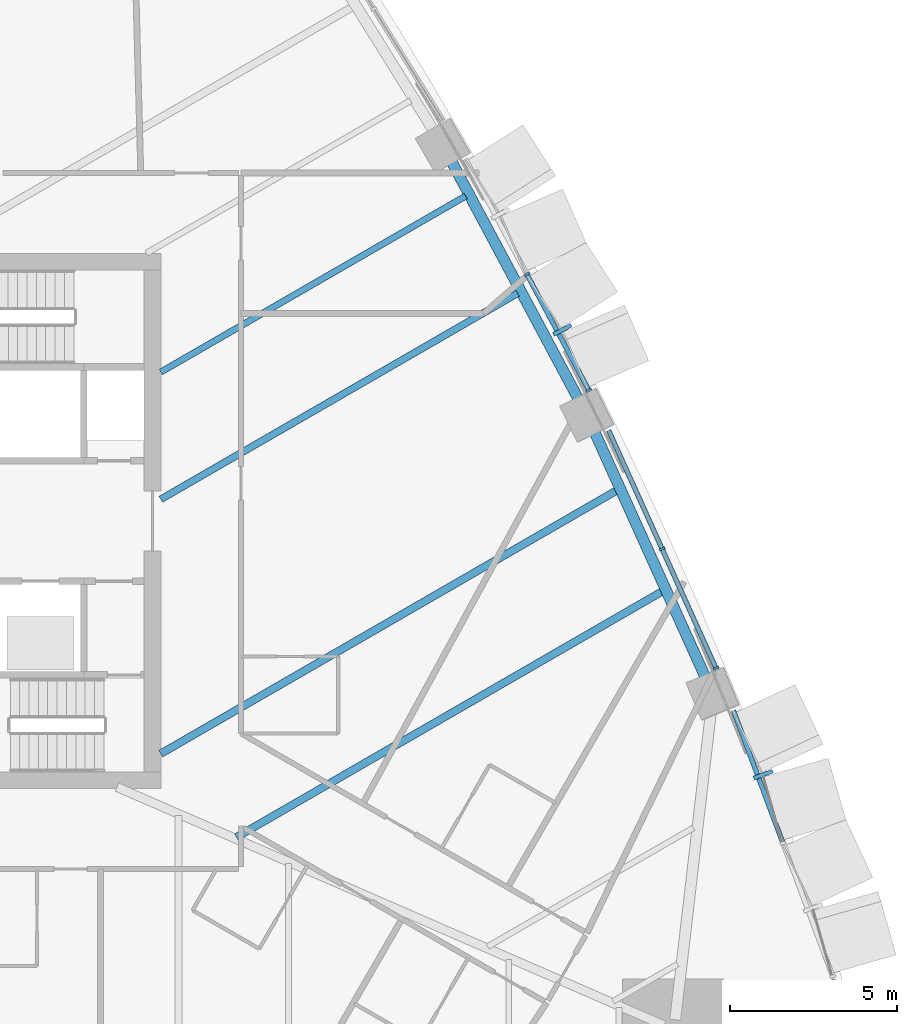
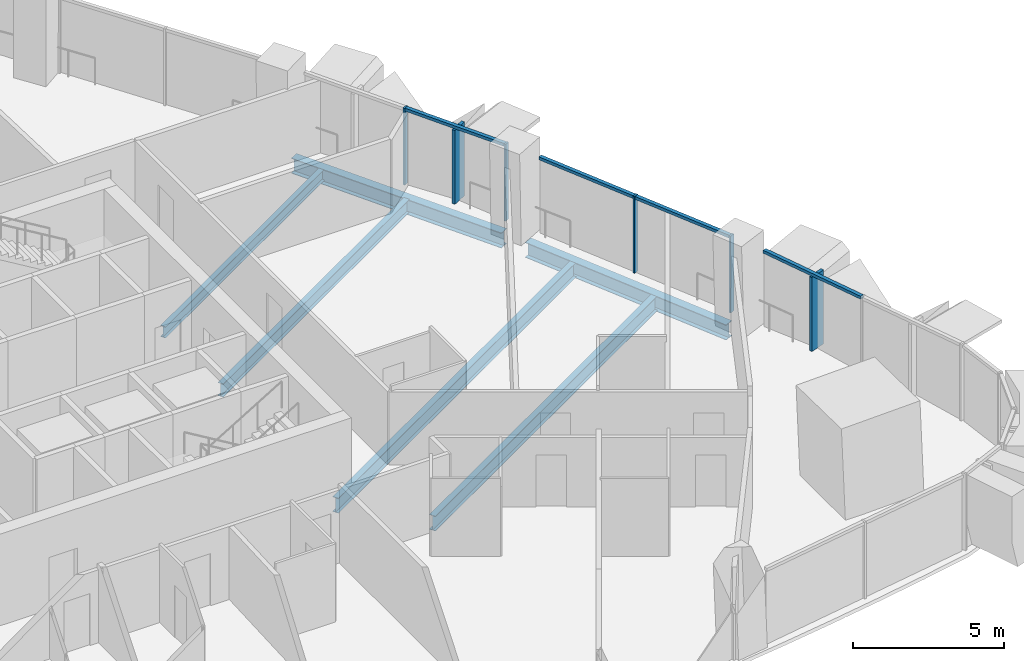
# One storey, part 5 of 19: 10 members, 6 beams, 3 elements without a shape of their own.
"""IFC4 building model written with IfcOpenShell, lengths in metres."""

from ifc_helpers import new_model, si_unit, direction, frame, origin, origin_2d, place, context, subcontext, project, spatial, rectangle, i_section, extrude, material, layer, layer_set, material_profile, profile_set, type_object, element, aggregate, save


model = new_model("IFC4")

# Units and contexts
model_context = context("Model", 3, precision=1e-05, world=origin(), true_north=direction((0.0, 1.0)))
body_context = subcontext(model_context, "Body", "Model", "MODEL_VIEW")
ifc_project = project(units=[si_unit("LENGTHUNIT", "METRE"), si_unit("AREAUNIT", "SQUARE_METRE"), si_unit("VOLUMEUNIT", "CUBIC_METRE"), si_unit("PLANEANGLEUNIT", "RADIAN"), si_unit("MASSUNIT", "GRAM", prefix="KILO")], contexts=[model_context])

# Site, building, storey
site_placement = place(None, origin())
site = spatial("IfcSite", under=ifc_project, at=site_placement, CompositionType="ELEMENT")
building_placement = place(site_placement, origin())
building = spatial("IfcBuilding", under=site, at=building_placement, Name="Sierra Prisma Convention Tower", CompositionType="ELEMENT")
storey_placement = place(building_placement, frame((0.0, 0.0, 77.60009765625)))
storey = spatial("IfcBuildingStorey", under=building, at=storey_placement, Name="L15", CompositionType="ELEMENT", Elevation=77.60009765625)

# Curtain wall, member
ifc_material_1 = material(Name="Aluminium and glass curtain wall", Category="aluminium")
ifc_layer_1 = layer(ifc_material_1, 0.179931640625)
ifc_layer_set_1 = layer_set([ifc_layer_1], Name="CW-2 Faceted crystal curtain wall")
curtain_wall_type_1 = type_object("IfcCurtainWallType", Name="CW-2 Faceted crystal curtain wall", PredefinedType="NOTDEFINED", material=ifc_layer_set_1)
curtain_wall_1_placement = place(storey_placement, origin())
curtain_wall_1 = element("IfcCurtainWall", 1, at=curtain_wall_1_placement, inside=storey, type_object=curtain_wall_type_1, Name="CW-2 NE1 L15", PredefinedType="NOTDEFINED")
ifc_material_2 = material(Name="Aluminium 6063-T6 bronze anodised", Category="aluminium")
ifc_material_profile_1 = material_profile(ifc_material_2, rectangle(XDim=0.1201171875, YDim=0.60009765625, at=origin_2d()), Name="ALU RIDGE BLADE 120x600")
ifc_profile_set_1 = profile_set([ifc_material_profile_1], Name="Aluminium 6063-T6 bronze anodised")
member_type_1 = type_object("IfcMemberType", Name="CW hip bronze", PredefinedType="MULLION", material=ifc_profile_set_1)
member_1_placement = place(storey_placement, frame((29.002685546875, -7.57861328125, 0.0), z_axis=(0.0, 0.0, 1.0), x_axis=(-0.350139772107, 0.936697464494, 0.0)))
member_1 = element("IfcMember", 2, at=member_1_placement, type_object=member_type_1, Name="CW-2 ridge NE1.2", PredefinedType="MULLION", context=body_context, shape_type="SweptSolid", body=[
    extrude(rectangle(XDim=0.1201171875, YDim=0.60009765625, at=origin_2d()), origin(), (0.0, 0.0, 1.0), 2.97998046875),
])

curtain_wall_2_placement = place(storey_placement, origin())
curtain_wall_2 = element("IfcCurtainWall", 3, at=curtain_wall_2_placement, inside=storey, type_object=curtain_wall_type_1, Name="CW-2 NE3 L15", PredefinedType="NOTDEFINED")
member_2_placement = place(storey_placement, frame((22.999267578125, 5.710205078125, 0.0), z_axis=(0.0, 0.0, 1.0), x_axis=(-0.470903985064, 0.88218446872, 0.0)))
member_2 = element("IfcMember", 4, at=member_2_placement, type_object=member_type_1, Name="CW-2 ridge NE3.1", PredefinedType="MULLION", context=body_context, shape_type="SweptSolid", body=[
    extrude(rectangle(XDim=0.1201171875, YDim=0.60009765625, at=origin_2d()), origin(), (0.0, 0.0, 1.0), 2.97998046875),
])

# Curtain wall, members
ifc_material_3 = material(Name="Aluminium and glass curtain wall", Category="aluminium")
ifc_layer_2 = layer(ifc_material_3, 0.179931640625)
ifc_layer_set_2 = layer_set([ifc_layer_2], Name="CW-1 Plain shaft curtain wall")
curtain_wall_type_2 = type_object("IfcCurtainWallType", Name="CW-1 Plain shaft curtain wall", PredefinedType="NOTDEFINED", material=ifc_layer_set_2)
curtain_wall_3_placement = place(storey_placement, origin())
curtain_wall_3 = element("IfcCurtainWall", 5, at=curtain_wall_3_placement, inside=storey, type_object=curtain_wall_type_2, Name="CW-1 NE2 L15", PredefinedType="NOTDEFINED")
ifc_material_4 = material(Name="Aluminium 6063-T6 bronze anodised", Category="aluminium")
ifc_material_profile_2 = material_profile(ifc_material_4, rectangle(XDim=0.179931640625, YDim=0.070068359375, at=origin_2d()), Name="ALU MULLION 70x180")
ifc_profile_set_2 = profile_set([ifc_material_profile_2], Name="Aluminium 6063-T6 bronze anodised")
member_type_2 = type_object("IfcMemberType", Name="CW mullion bronze", PredefinedType="MULLION", material=ifc_profile_set_2)
member_3_placement = place(storey_placement, frame((27.58935546875, -4.402099609375, 0.0), z_axis=(0.0, 0.0, 1.0), x_axis=(-0.911443289802, -0.411425727774, 0.0)))
member_3 = element("IfcMember", 6, at=member_3_placement, type_object=member_type_2, Name="CW-1 mullion NE2.1", PredefinedType="MULLION", context=body_context, shape_type="SweptSolid", body=[
    extrude(rectangle(XDim=0.179931640625, YDim=0.070068359375, at=origin_2d()), origin(), (0.0, 0.0, 1.0), 3.099853515625),
])
member_4_placement = place(storey_placement, frame((25.979248046875, -0.835205078125, 0.0), z_axis=(0.0, 0.0, 1.0), x_axis=(-0.911443289802, -0.411425727774, 0.0)))
member_4 = element("IfcMember", 7, at=member_4_placement, type_object=member_type_2, Name="CW-1 mullion NE2.2", PredefinedType="MULLION", context=body_context, shape_type="SweptSolid", body=[
    extrude(rectangle(XDim=0.179931640625, YDim=0.070068359375, at=origin_2d()), origin(), (0.0, 0.0, 1.0), 3.099853515625),
])

# Member
member_5_placement = place(storey_placement, frame((23.791259765625, 3.90380859375, 0.0), z_axis=(0.0, 0.0, 1.0), x_axis=(-0.88218446872, -0.470903985064, 0.0)))
member_5 = element("IfcMember", 8, at=member_5_placement, type_object=member_type_2, Name="CW-1 mullion NE3.1", PredefinedType="MULLION", context=body_context, shape_type="SweptSolid", body=[
    extrude(rectangle(XDim=0.179931640625, YDim=0.070068359375, at=origin_2d()), origin(), (0.0, 0.0, 1.0), 3.099853515625),
])

member_6_placement = place(storey_placement, frame((21.939208984375, 7.373291015625, 0.0), z_axis=(0.0, 0.0, 1.0), x_axis=(-0.88218446872, -0.470903985064, 0.0)))
member_6 = element("IfcMember", 9, at=member_6_placement, type_object=member_type_2, Name="CW-1 mullion NE3.2", PredefinedType="MULLION", context=body_context, shape_type="SweptSolid", body=[
    extrude(rectangle(XDim=0.179931640625, YDim=0.070068359375, at=origin_2d()), origin(), (0.0, 0.0, 1.0), 3.099853515625),
])

ifc_material_5 = material(Name="Aluminium 6063-T6 bronze anodised", Category="aluminium")
ifc_material_profile_3 = material_profile(ifc_material_5, rectangle(XDim=0.139892578125, YDim=0.1201171875, at=origin_2d()), Name="ALU TRANSOM 120x140")
ifc_profile_set_3 = profile_set([ifc_material_profile_3], Name="Aluminium 6063-T6 bronze anodised")
member_type_3 = type_object("IfcMemberType", Name="CW transom bronze", PredefinedType="USERDEFINED", material=ifc_profile_set_3)
member_7_placement = place(storey_placement, frame((29.58056640625, -9.5947265625, 3.039794921875), z_axis=(-0.350125126236, 0.936702939025, 0.0), x_axis=(-0.936702939025, -0.350125126236, 0.0)))
member_7 = element("IfcMember", 10, at=member_7_placement, type_object=member_type_3, Name="CW-1 transom NE1.2", ObjectType="TRANSOM", PredefinedType="USERDEFINED", context=body_context, shape_type="SweptSolid", body=[
    extrude(rectangle(XDim=0.139892578125, YDim=0.1201171875, at=origin_2d()), origin(), (0.0, 0.0, 1.0), 4.181640625),
])

aggregate(curtain_wall_1, [member_7, member_1])

member_8_placement = place(storey_placement, frame((27.574951171875, -4.3701171875, 3.039794921875), z_axis=(-0.411418225769, 0.911446676172, 0.0), x_axis=(-0.911446676172, -0.411418225769, 0.0)))
member_8 = element("IfcMember", 11, at=member_8_placement, type_object=member_type_3, Name="CW-1 transom NE2.1", ObjectType="TRANSOM", PredefinedType="USERDEFINED", context=body_context, shape_type="SweptSolid", body=[
    extrude(rectangle(XDim=0.139892578125, YDim=0.1201171875, at=origin_2d()), origin(), (0.0, 0.0, 1.0), 3.843505859375),
])

member_9_placement = place(storey_placement, frame((25.96484375, -0.80322265625, 3.039794921875), z_axis=(-0.411418225769, 0.911446676172, 0.0), x_axis=(-0.911446676172, -0.411418225769, 0.0)))
member_9 = element("IfcMember", 12, at=member_9_placement, type_object=member_type_3, Name="CW-1 transom NE2.2", ObjectType="TRANSOM", PredefinedType="USERDEFINED", context=body_context, shape_type="SweptSolid", body=[
    extrude(rectangle(XDim=0.139892578125, YDim=0.1201171875, at=origin_2d()), origin(), (0.0, 0.0, 1.0), 3.843505859375),
])

aggregate(curtain_wall_3, [member_3, member_4, member_8, member_9])

member_10_placement = place(storey_placement, frame((23.774658203125, 3.934814453125, 3.039794921875), z_axis=(-0.47091952156, 0.88217617527, 0.0), x_axis=(-0.88217617527, -0.47091952156, 0.0)))
member_10 = element("IfcMember", 13, at=member_10_placement, type_object=member_type_3, Name="CW-1 transom NE3.1", ObjectType="TRANSOM", PredefinedType="USERDEFINED", context=body_context, shape_type="SweptSolid", body=[
    extrude(rectangle(XDim=0.139892578125, YDim=0.1201171875, at=origin_2d()), origin(), (0.0, 0.0, 1.0), 3.86279296875),
])

aggregate(curtain_wall_2, [member_5, member_6, member_10, member_2])

# Beams
ifc_material_6 = material(Name="Steel ASTM A992 Gr 50", Category="steel")
ifc_material_profile_4 = material_profile(ifc_material_6, i_section(OverallWidth=0.18994140625, OverallDepth=0.45703125, WebThickness=0.009033203125, FlangeThickness=0.014404296875, at=origin_2d()), Name="W460x74")
ifc_profile_set_4 = profile_set([ifc_material_profile_4], Name="Steel ASTM A992 Gr 50")
beam_type_1 = type_object("IfcBeamType", Name="Floor joist W460x74", PredefinedType="JOIST", material=ifc_profile_set_4)
beam_1_placement = place(storey_placement, frame((20.110595703125, 9.710205078125, -0.378662109375), z_axis=(-0.866025202757, -0.50000034819, 0.0), x_axis=(0.50000034819, -0.866025202757, 0.0)))
element("IfcBeam", 14, at=beam_1_placement, inside=storey, type_object=beam_type_1, Name="Floor joist L15 NE08", PredefinedType="JOIST", context=body_context, shape_type="SweptSolid", body=[
    extrude(i_section(OverallWidth=0.18994140625, OverallDepth=0.45703125, WebThickness=0.009033203125, FlangeThickness=0.014404296875, at=origin_2d()), origin(), (0.0, 0.0, 1.0), 10.52001953125),
])
ifc_material_7 = material(Name="Steel ASTM A992 Gr 50", Category="steel")
ifc_material_profile_5 = material_profile(ifc_material_7, i_section(OverallWidth=0.208984375, OverallDepth=0.532958984375, WebThickness=0.01025390625, FlangeThickness=0.015625, at=origin_2d()), Name="W530x92")
ifc_profile_set_5 = profile_set([ifc_material_profile_5], Name="Steel ASTM A992 Gr 50")
beam_type_2 = type_object("IfcBeamType", Name="Floor joist W530x92", PredefinedType="JOIST", material=ifc_profile_set_5)
beam_2_placement = place(storey_placement, frame((21.662109375, 6.8046875, -0.41650390625), z_axis=(-0.866017168687, -0.500014263337, 0.0), x_axis=(0.500014263337, -0.866017168687, 0.0)))
element("IfcBeam", 15, at=beam_2_placement, inside=storey, type_object=beam_type_2, Name="Floor joist L15 NE07", PredefinedType="JOIST", context=body_context, shape_type="SweptSolid", body=[
    extrude(i_section(OverallWidth=0.208984375, OverallDepth=0.532958984375, WebThickness=0.01025390625, FlangeThickness=0.015625, at=origin_2d()), origin(), (0.0, 0.0, 1.0), 12.311767578125),
])
ifc_material_8 = material(Name="Steel ASTM A992 Gr 50", Category="steel")
ifc_material_profile_6 = material_profile(ifc_material_8, i_section(OverallWidth=0.22802734375, OverallDepth=0.60302734375, WebThickness=0.010498046875, FlangeThickness=0.014892578125, at=origin_2d()), Name="W610x101")
ifc_profile_set_6 = profile_set([ifc_material_profile_6], Name="Steel ASTM A992 Gr 50")
beam_type_3 = type_object("IfcBeamType", Name="Floor joist W610x101", PredefinedType="JOIST", material=ifc_profile_set_6)
beam_3_placement = place(storey_placement, frame((25.98876953125, -2.1015625, -0.45166015625), z_axis=(-0.86602237505, -0.500005245886, 0.0), x_axis=(0.500005245886, -0.86602237505, 0.0)))
element("IfcBeam", 16, at=beam_3_placement, inside=storey, type_object=beam_type_3, Name="Floor joist L15 NE04", PredefinedType="JOIST", context=body_context, shape_type="SweptSolid", body=[
    extrude(i_section(OverallWidth=0.22802734375, OverallDepth=0.60302734375, WebThickness=0.010498046875, FlangeThickness=0.014892578125, at=origin_2d()), origin(), (0.0, 0.0, 1.0), 14.697021484375),
])
beam_4_placement = place(storey_placement, frame((24.627197265625, 0.91357421875, -0.45166015625), z_axis=(-0.866031853243, -0.499988829044, 0.0), x_axis=(0.499988829044, -0.866031853243, 0.0)))
element("IfcBeam", 17, at=beam_4_placement, inside=storey, type_object=beam_type_3, Name="Floor joist L15 NE05", PredefinedType="JOIST", context=body_context, shape_type="SweptSolid", body=[
    extrude(i_section(OverallWidth=0.22802734375, OverallDepth=0.60302734375, WebThickness=0.010498046875, FlangeThickness=0.014892578125, at=origin_2d()), origin(), (0.0, 0.0, 1.0), 15.735107421875),
])
ifc_material_9 = material(Name="Steel ASTM A992 Gr 50", Category="steel")
ifc_material_profile_7 = material_profile(ifc_material_9, i_section(OverallWidth=0.324951171875, OverallDepth=0.615966796875, WebThickness=0.013916015625, FlangeThickness=0.021484375, at=origin_2d()), Name="W610x174")
ifc_profile_set_7 = profile_set([ifc_material_profile_7], Name="Steel ASTM A992 Gr 50")
beam_type_4 = type_object("IfcBeamType", Name="Spandrel beam W610x174", PredefinedType="BEAM", material=ifc_profile_set_7)
for number, where, z_axis, x_axis, name in (
    (18, (27.302490234375, -4.736328125, -0.4580078125), (-0.411611512574, 0.911359403702, 0.0), (-0.911359403702, -0.411611512574, 0.0), "Spandrel L15-08"),
    (19, (23.51171875, 3.580078125, -0.4580078125), (-0.471037420885, 0.882113228631, 0.0), (-0.882113228631, -0.471037420885, 0.0), "Spandrel L15-09"),
):
    element("IfcBeam", number, at=place(storey_placement, frame(where, z_axis=z_axis, x_axis=x_axis)), inside=storey, type_object=beam_type_4, Name=name, PredefinedType="BEAM", context=body_context, shape_type="SweptSolid", body=[
        extrude(i_section(OverallWidth=0.324951171875, OverallDepth=0.615966796875, WebThickness=0.013916015625, FlangeThickness=0.021484375, at=origin_2d()), origin(), (0.0, 0.0, 1.0), 8.179931640625),
    ])

save(model, "model.ifc")
